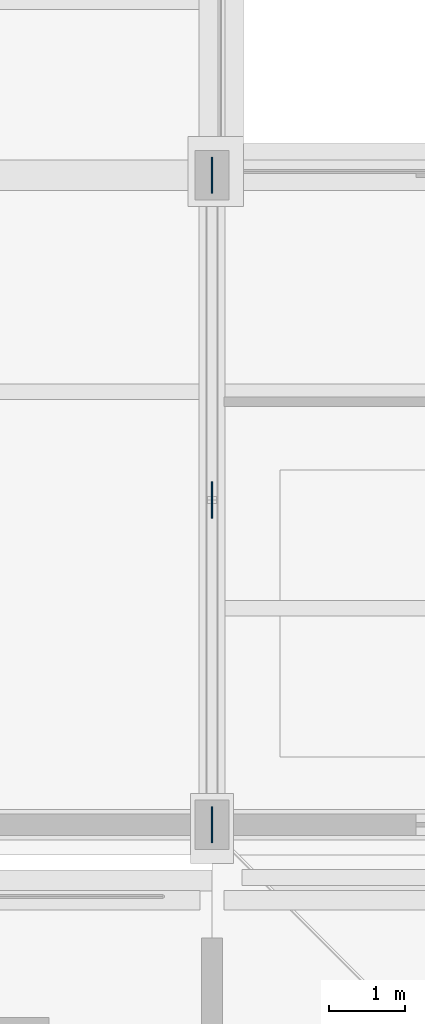
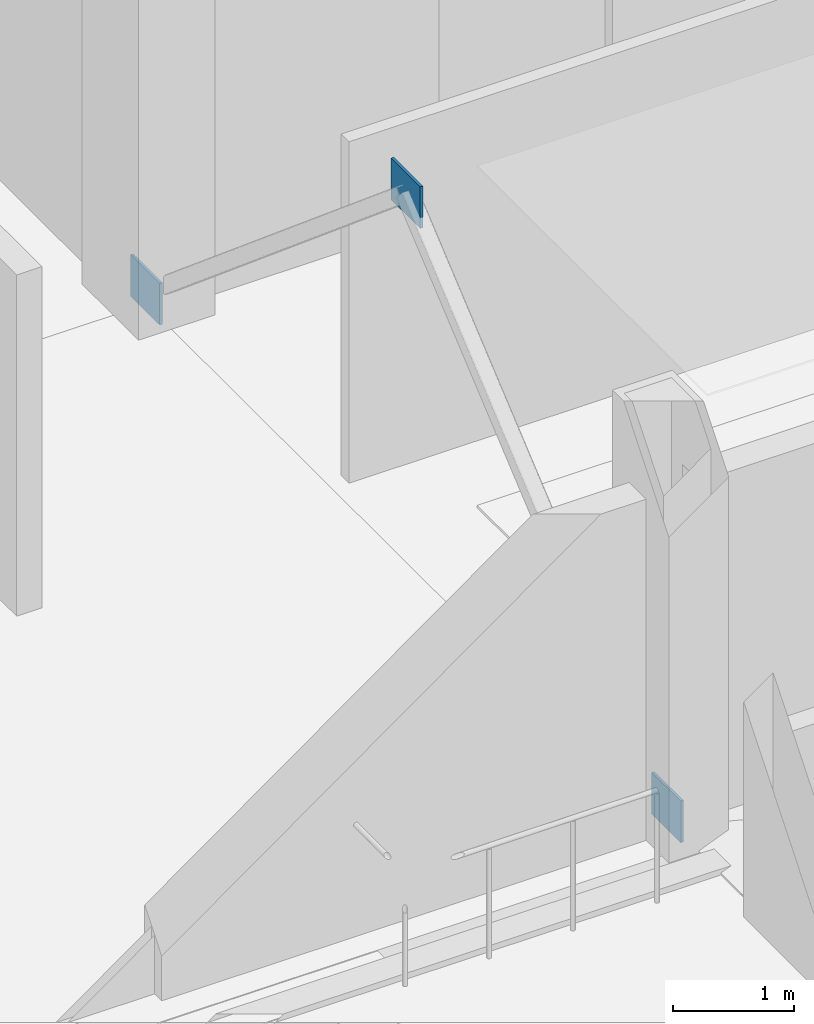
# One storey, part 19 of 43: 3 plates.
"""IFC4 building model written with IfcOpenShell, lengths in metres."""

from ifc_helpers import new_model, si_unit, direction, frame, origin, origin_2d, place, context, subcontext, project, spatial, rectangle, extrude, material, layer, layer_set, type_object, element, save


model = new_model("IFC4")

# Units and contexts
model_context = context("Model", 3, precision=1e-05, world=origin(), true_north=direction((0.0, 1.0)))
body_context = subcontext(model_context, "Body", "Model", "MODEL_VIEW")
ifc_project = project(units=[si_unit("LENGTHUNIT", "METRE"), si_unit("AREAUNIT", "SQUARE_METRE"), si_unit("VOLUMEUNIT", "CUBIC_METRE"), si_unit("PLANEANGLEUNIT", "RADIAN"), si_unit("MASSUNIT", "GRAM", prefix="KILO")], contexts=[model_context])

# Site, building, storey
site_placement = place(None, origin())
site = spatial("IfcSite", under=ifc_project, at=site_placement, CompositionType="ELEMENT")
building_placement = place(site_placement, origin())
building = spatial("IfcBuilding", under=site, at=building_placement, Name="Caurita Quay Ferry Terminal", CompositionType="ELEMENT")
storey_placement = place(building_placement, frame((0.0, 0.0, 14.10009765625)))
storey = spatial("IfcBuildingStorey", under=building, at=storey_placement, Name="L03", CompositionType="ELEMENT", Elevation=14.10009765625)

# Plates
ifc_material = material(Name="Structural plate steel ASTM A572 Gr. 50", Category="steel")
ifc_layer_1 = layer(ifc_material, 0.01806640625, Name="Structural steel connection plate 18 mm")
ifc_layer_set_1 = layer_set([ifc_layer_1], Name="Structural plate steel ASTM A572 Gr. 50")
plate_type_1 = type_object("IfcPlateType", Name="PLT-STL-18", PredefinedType="USERDEFINED", material=ifc_layer_set_1)
for number, where, z_axis, x_axis, name in (
    (1, (22.0, 71.60009765625, -0.06005859375), (0.0, 0.0, 1.0), (0.0, 1.0, 0.0), "L03 Seismic Brace Gusset 20-BSL"),
    (2, (22.0, 80.199951171875, -0.06005859375), (0.0, 0.0, 1.0), (0.0, 1.0, 0.0), "L03 Seismic Brace Gusset 20-BSR"),
):
    element("IfcPlate", number, at=place(storey_placement, frame(where, z_axis=z_axis, x_axis=x_axis)), inside=storey, type_object=plate_type_1, Name=name, ObjectType="GUSSET PLATE", PredefinedType="USERDEFINED", context=body_context, shape_type="SweptSolid", body=[
        extrude(rectangle(XDim=0.47998046875, YDim=0.02490234375, at=origin_2d()), origin(), (0.0, 0.0, 1.0), 0.419921875),
    ])
ifc_layer_2 = layer(ifc_material, 0.02490234375, Name="Structural steel connection plate 25 mm")
ifc_layer_set_2 = layer_set([ifc_layer_2], Name="Structural plate steel ASTM A572 Gr. 50")
plate_type_2 = type_object("IfcPlateType", Name="PLT-STL-25", PredefinedType="USERDEFINED", material=ifc_layer_set_2)
plate_placement = place(storey_placement, frame((22.0, 75.89990234375, 3.52001953125), z_axis=(0.0, 0.0, 1.0), x_axis=(0.0, 1.0, 0.0)))
element("IfcPlate", 3, at=plate_placement, inside=storey, type_object=plate_type_2, Name="L03 Seismic Brace Gusset 20-APX", ObjectType="GUSSET PLATE", PredefinedType="USERDEFINED", context=body_context, shape_type="SweptSolid", body=[
    extrude(rectangle(XDim=0.47998046875, YDim=0.02490234375, at=origin_2d()), origin(), (0.0, 0.0, 1.0), 0.419921875),
])

save(model, "model.ifc")
